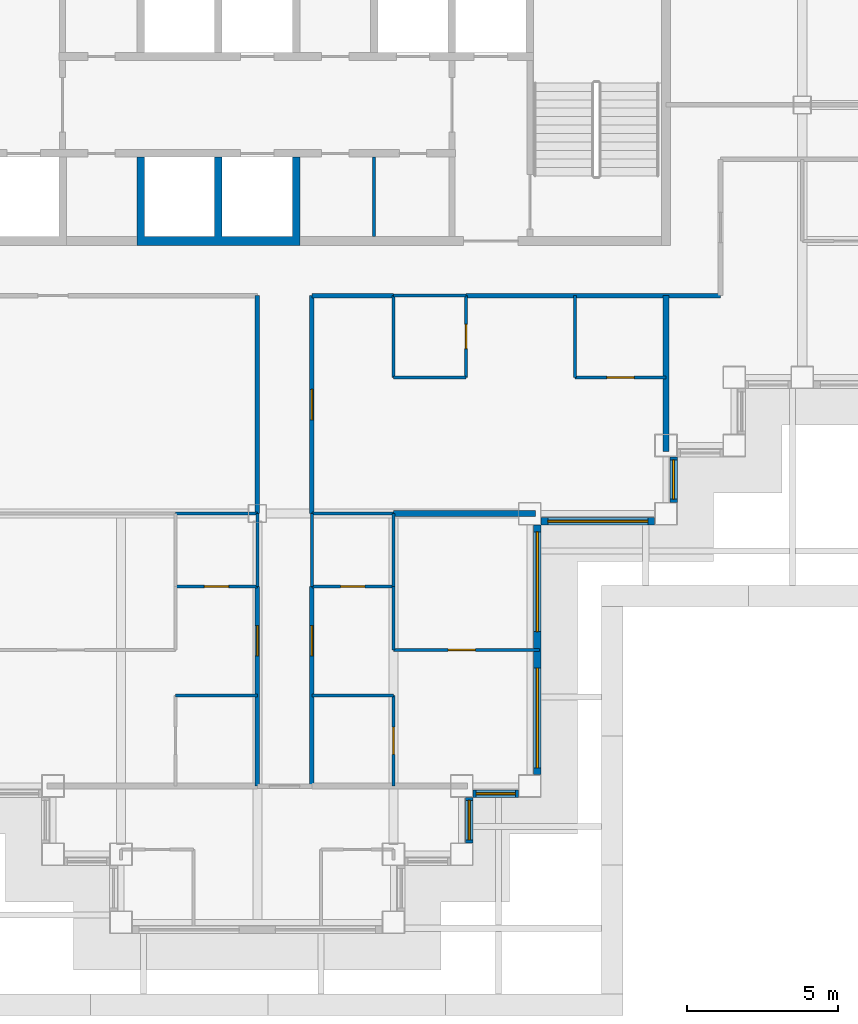
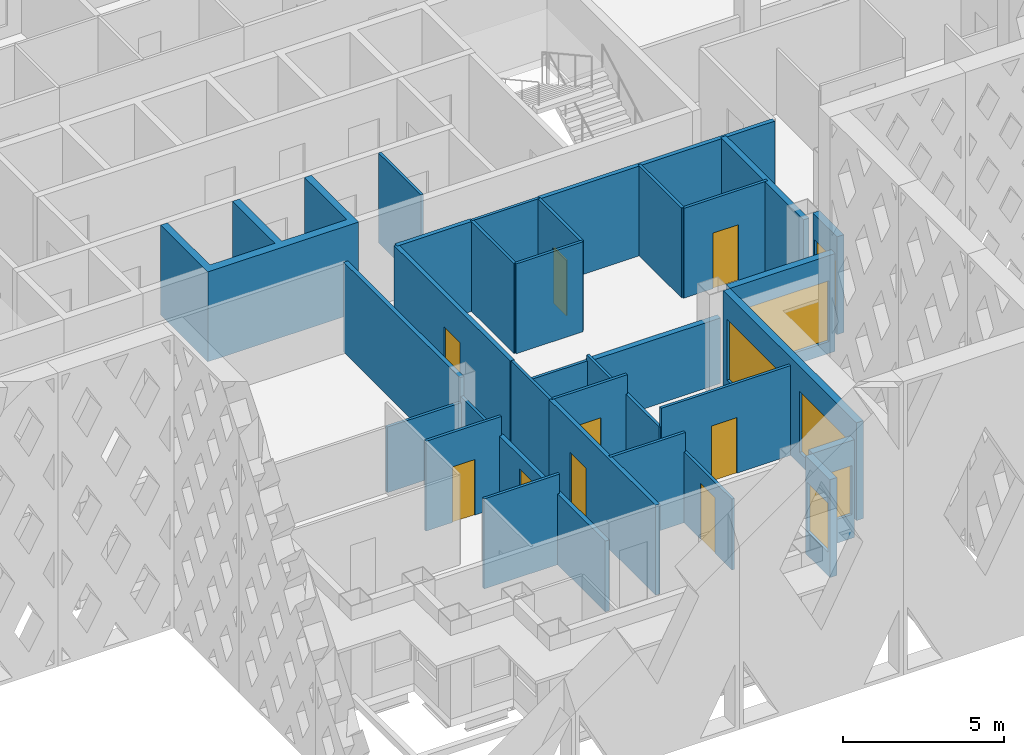
# One storey, part 5 of 18: 33 walls, 9 doors, 6 windows, 15 openings.
"""IFC4 building model written with IfcOpenShell, lengths in metres."""

from ifc_helpers import new_model, si_unit, direction, frame, frame_2d, origin, place, context, subcontext, project, spatial, polyline, rectangle, outline, extrude, material, layer, layer_set, type_object, element, fill, save


model = new_model("IFC4")

# Units and contexts
model_context = context("Model", 3, precision=1e-05, world=origin(), true_north=direction((0.0, 1.0)))
body_context = subcontext(model_context, "Body", "Model", "MODEL_VIEW")
ifc_project = project(units=[si_unit("LENGTHUNIT", "METRE"), si_unit("AREAUNIT", "SQUARE_METRE"), si_unit("VOLUMEUNIT", "CUBIC_METRE"), si_unit("PLANEANGLEUNIT", "RADIAN"), si_unit("MASSUNIT", "GRAM", prefix="KILO")], contexts=[model_context])

# Site, building, storey
site_placement = place(None, origin())
site = spatial("IfcSite", under=ifc_project, at=site_placement, CompositionType="ELEMENT")
building_placement = place(site_placement, origin())
building = spatial("IfcBuilding", under=site, at=building_placement, Name="Caravel Reach Hotel and Residences", CompositionType="ELEMENT")
storey_placement = place(building_placement, frame((0.0, 0.0, 176.5)))
storey = spatial("IfcBuildingStorey", under=building, at=storey_placement, Name="L44", CompositionType="ELEMENT", Elevation=176.5)

# Wall, opening, door
ifc_material_1 = material(Name="Gypsum board on steel stud", Category="steel")
ifc_layer_1 = layer(ifc_material_1, 0.10009765625)
ifc_layer_set_1 = layer_set([ifc_layer_1], Name="Bathroom pod wall 100 mm")
wall_type_1 = type_object("IfcWallType", Name="Bathroom pod wall 100 mm", PredefinedType="PARTITIONING", material=ifc_layer_set_1)
wall_1_placement = place(storey_placement, frame((33.300048828125, 11.10009765625, 0.0), z_axis=(0.0, 0.0, 1.0), x_axis=(1.0, 0.0, 0.0)))
wall_1 = element("IfcWall", 1, at=wall_1_placement, inside=storey, type_object=wall_type_1, Name="L44 wall w087", PredefinedType="PARTITIONING", context=body_context, shape_type="SweptSolid", body=[
    extrude(rectangle(XDim=2.699951171875, YDim=0.10009765625, at=frame_2d((1.35009765625, 0.0))), origin(), (0.0, 0.0, 1.0), 3.39990234375),
])
opening_1_placement = place(wall_1_placement, frame((0.949951171875, 0.0, 0.0)))
opening_1 = element("IfcOpeningElement", 2, at=opening_1_placement, cuts=wall_1, Name="Opening D44-046", PredefinedType="OPENING", context=body_context, shape_type="SweptSolid", body=[
    extrude(rectangle(XDim=0.800048828125, YDim=2.10009765625, at=frame_2d((0.39990234375, 1.050048828125))), frame((0.0, 0.06005859375, 0.0), z_axis=(0.0, -1.0, 0.0), x_axis=(1.0, 0.0, 0.0)), (0.0, 0.0, 1.0), 0.1201171875),
])
ifc_material_2 = material(Name="Timber and steel door leaf", Category="steel")
door_type_1 = type_object("IfcDoorType", Name="Bathroom door 800 x 2100", OperationType="SINGLE_SWING_LEFT", PredefinedType="DOOR", material=ifc_material_2)
door_1_placement = place(opening_1_placement, origin())
door_1 = element("IfcDoor", 3, at=door_1_placement, inside=storey, type_object=door_type_1, Name="door D44-046", OperationType="SINGLE_SWING_RIGHT", OverallHeight=2.10009765625, OverallWidth=0.800048828125, PredefinedType="DOOR", context=body_context, shape_type="SweptSolid", body=[
    extrude(rectangle(XDim=0.800048828125, YDim=2.10009765625, at=frame_2d((0.39990234375, 1.050048828125))), frame((0.0, 0.02490234375, 0.0), z_axis=(0.0, -1.0, 0.0), x_axis=(1.0, 0.0, 0.0)), (0.0, 0.0, 1.0), 0.050048828125),
])
fill(opening_1, door_1)

wall_2_placement = place(storey_placement, frame((28.800048828125, 11.10009765625, 0.0), z_axis=(0.0, 0.0, 1.0), x_axis=(1.0, 0.0, 0.0)))
wall_2 = element("IfcWall", 4, at=wall_2_placement, inside=storey, type_object=wall_type_1, Name="L44 wall w088", PredefinedType="PARTITIONING", context=body_context, shape_type="SweptSolid", body=[
    extrude(rectangle(XDim=2.699951171875, YDim=0.10009765625, at=frame_2d((1.35009765625, 0.0))), origin(), (0.0, 0.0, 1.0), 3.39990234375),
])
opening_2_placement = place(wall_2_placement, frame((0.949951171875, 0.0, 0.0)))
opening_2 = element("IfcOpeningElement", 5, at=opening_2_placement, cuts=wall_2, Name="Opening D44-042", PredefinedType="OPENING", context=body_context, shape_type="SweptSolid", body=[
    extrude(rectangle(XDim=0.800048828125, YDim=2.10009765625, at=frame_2d((0.39990234375, 1.050048828125))), frame((0.0, 0.06005859375, 0.0), z_axis=(0.0, -1.0, 0.0), x_axis=(1.0, 0.0, 0.0)), (0.0, 0.0, 1.0), 0.1201171875),
])
door_2_placement = place(opening_2_placement, origin())
door_2 = element("IfcDoor", 6, at=door_2_placement, inside=storey, type_object=door_type_1, Name="door D44-042", OperationType="SINGLE_SWING_RIGHT", OverallHeight=2.10009765625, OverallWidth=0.800048828125, PredefinedType="DOOR", context=body_context, shape_type="SweptSolid", body=[
    extrude(rectangle(XDim=0.800048828125, YDim=2.10009765625, at=frame_2d((0.39990234375, 1.050048828125))), frame((0.0, 0.02490234375, 0.0), z_axis=(0.0, -1.0, 0.0), x_axis=(1.0, 0.0, 0.0)), (0.0, 0.0, 1.0), 0.050048828125),
])
fill(opening_2, door_2)

# Walls
wall_3_placement = place(storey_placement, frame((33.301025390625, 13.5, 0.0), z_axis=(0.0, 0.0, 1.0), x_axis=(1.0, 0.0, 0.0)))
element("IfcWall", 7, at=wall_3_placement, inside=storey, type_object=wall_type_1, Name="L44 wall w089", PredefinedType="PARTITIONING", context=body_context, shape_type="SweptSolid", body=[
    extrude(rectangle(XDim=2.697998046875, YDim=0.10009765625, at=frame_2d((1.34912109375, 0.0))), origin(), (0.0, 0.0, 1.0), 2.47998046875),
])
wall_4_placement = place(storey_placement, frame((28.800048828125, 13.5, 0.0), z_axis=(0.0, 0.0, 1.0), x_axis=(1.0, 0.0, 0.0)))
element("IfcWall", 8, at=wall_4_placement, inside=storey, type_object=wall_type_1, Name="L44 wall w090", PredefinedType="PARTITIONING", context=body_context, shape_type="SweptSolid", body=[
    extrude(rectangle(XDim=2.699951171875, YDim=0.10009765625, at=frame_2d((1.35009765625, 0.0))), origin(), (0.0, 0.0, 1.0), 2.47998046875),
])
for number, where, z_axis, x_axis, name in (
    (9, (36.0, 18.0, 0.0), (0.0, 0.0, 1.0), (1.0, 0.0, 0.0), "L44 wall w091"),
    (10, (36.0, 20.699951171875, 0.0), (0.0, 0.0, 1.0), (1.0, 0.0, 0.0), "L44 wall w093"),
):
    element("IfcWall", number, at=place(storey_placement, frame(where, z_axis=z_axis, x_axis=x_axis)), inside=storey, type_object=wall_type_1, Name=name, PredefinedType="PARTITIONING", context=body_context, shape_type="SweptSolid", body=[
        extrude(rectangle(XDim=2.39990234375, YDim=0.10009765625, at=frame_2d((1.199951171875, 0.0))), origin(), (0.0, 0.0, 1.0), 3.39990234375),
    ])
wall_5_placement = place(storey_placement, frame((31.5, 11.10009765625, 0.0), z_axis=(0.0, 0.0, 1.0), x_axis=(0.0, 1.0, 0.0)))
element("IfcWall", 11, at=wall_5_placement, inside=storey, type_object=wall_type_1, Name="L44 wall w114", PredefinedType="PARTITIONING", context=body_context, shape_type="SweptSolid", body=[
    extrude(rectangle(XDim=2.39990234375, YDim=0.10009765625, at=frame_2d((1.199951171875, 0.0))), origin(), (0.0, 0.0, 1.0), 2.679931640625),
])
wall_6_placement = place(storey_placement, frame((33.300048828125, 11.10009765625, 0.0), z_axis=(0.0, 0.0, 1.0), x_axis=(0.0, 1.0, 0.0)))
element("IfcWall", 12, at=wall_6_placement, inside=storey, type_object=wall_type_1, Name="L44 wall w115", PredefinedType="PARTITIONING", context=body_context, shape_type="SweptSolid", body=[
    extrude(rectangle(XDim=2.39990234375, YDim=0.10009765625, at=frame_2d((1.199951171875, 0.0))), origin(), (0.0, 0.0, 1.0), 3.39990234375),
])
wall_7_placement = place(storey_placement, frame((36.0, 11.10009765625, 0.0), z_axis=(0.0, 0.0, 1.0), x_axis=(0.0, 1.0, 0.0)))
element("IfcWall", 13, at=wall_7_placement, inside=storey, type_object=wall_type_1, Name="L44 wall w117", PredefinedType="PARTITIONING", context=body_context, shape_type="SweptSolid", body=[
    extrude(rectangle(XDim=2.39990234375, YDim=0.10009765625, at=frame_2d((1.199951171875, 0.0))), origin(), (0.0, 0.0, 1.0), 2.679931640625),
])
wall_8_placement = place(storey_placement, frame((36.0, 18.0, 0.0), z_axis=(0.0, 0.0, 1.0), x_axis=(0.0, 1.0, 0.0)))
element("IfcWall", 14, at=wall_8_placement, inside=storey, type_object=wall_type_1, Name="L44 wall w118", PredefinedType="PARTITIONING", context=body_context, shape_type="SweptSolid", body=[
    extrude(rectangle(XDim=2.698974609375, YDim=0.10009765625, at=frame_2d((1.349609375, 0.0))), origin(), (0.0, 0.0, 1.0), 3.39990234375),
])

# Wall, opening, door
wall_9_placement = place(storey_placement, frame((38.39990234375, 18.0, 0.0), z_axis=(0.0, 0.0, 1.0), x_axis=(0.0, 1.0, 0.0)))
wall_9 = element("IfcWall", 15, at=wall_9_placement, inside=storey, type_object=wall_type_1, Name="L44 wall w119", PredefinedType="PARTITIONING", context=body_context, shape_type="SweptSolid", body=[
    extrude(rectangle(XDim=2.699951171875, YDim=0.10009765625, at=frame_2d((1.35009765625, 0.0))), origin(), (0.0, 0.0, 1.0), 3.39990234375),
])
opening_3_placement = place(wall_9_placement, frame((0.949951171875, 0.0, 0.0)))
opening_3 = element("IfcOpeningElement", 16, at=opening_3_placement, cuts=wall_9, Name="Opening D44-038", PredefinedType="OPENING", context=body_context, shape_type="SweptSolid", body=[
    extrude(rectangle(XDim=0.800048828125, YDim=2.10009765625, at=frame_2d((0.39990234375, 1.050048828125))), frame((0.0, 0.06005859375, 0.0), z_axis=(0.0, -1.0, 0.0), x_axis=(1.0, 0.0, 0.0)), (0.0, 0.0, 1.0), 0.1201171875),
])
door_3_placement = place(opening_3_placement, origin())
door_3 = element("IfcDoor", 17, at=door_3_placement, inside=storey, type_object=door_type_1, Name="door D44-038", OperationType="SINGLE_SWING_RIGHT", OverallHeight=2.10009765625, OverallWidth=0.800048828125, PredefinedType="DOOR", context=body_context, shape_type="SweptSolid", body=[
    extrude(rectangle(XDim=0.800048828125, YDim=2.10009765625, at=frame_2d((0.39990234375, 1.050048828125))), frame((0.0, 0.02490234375, 0.0), z_axis=(0.0, -1.0, 0.0), x_axis=(1.0, 0.0, 0.0)), (0.0, 0.0, 1.0), 0.050048828125),
])
fill(opening_3, door_3)

# Walls
ifc_material_3 = material(Name="Gypsum board on steel stud, fire-rated", Category="steel")
ifc_layer_2 = layer(ifc_material_3, 0.14990234375)
ifc_layer_set_2 = layer_set([ifc_layer_2], Name="Corridor wall 150 mm EI 60")
wall_type_2 = type_object("IfcWallType", Name="Corridor wall 150 mm EI 60", PredefinedType="PARTITIONING", material=ifc_layer_set_2)
wall_10_placement = place(storey_placement, frame((33.301025390625, 20.699951171875, 0.0), z_axis=(0.0, 0.0, 1.0), x_axis=(1.0, 0.0, 0.0)))
element("IfcWall", 18, at=wall_10_placement, inside=storey, type_object=wall_type_2, Name="L44 wall w002", PredefinedType="PARTITIONING", context=body_context, shape_type="SweptSolid", body=[
    extrude(rectangle(XDim=2.697998046875, YDim=0.14990234375, at=frame_2d((1.34912109375, 0.0))), origin(), (0.0, 0.0, 1.0), 3.39990234375),
])
wall_11_placement = place(storey_placement, frame((38.39990234375, 20.699951171875, 0.0), z_axis=(0.0, 0.0, 1.0), x_axis=(1.0, 0.0, 0.0)))
element("IfcWall", 19, at=wall_11_placement, inside=storey, type_object=wall_type_2, Name="L44 wall w003", PredefinedType="PARTITIONING", context=body_context, shape_type="SweptSolid", body=[
    extrude(rectangle(XDim=8.400146484375, YDim=0.14990234375, at=frame_2d((4.2001953125, 0.0))), origin(), (0.0, 0.0, 1.0), 3.39990234375),
])

# Wall, opening, door
wall_12_placement = place(storey_placement, frame((31.5, 4.5, 0.0), z_axis=(0.0, 0.0, 1.0), x_axis=(0.0, 1.0, 0.0)))
wall_12 = element("IfcWall", 20, at=wall_12_placement, inside=storey, type_object=wall_type_2, Name="L44 wall w022", PredefinedType="PARTITIONING", context=body_context, shape_type="SweptSolid", body=[
    extrude(rectangle(XDim=6.60009765625, YDim=0.14990234375, at=frame_2d((3.300048828125, 0.0))), origin(), (0.0, 0.0, 1.0), 2.679931640625),
])
opening_4_placement = place(wall_12_placement, frame((4.300048828125, 0.0, 0.0)))
opening_4 = element("IfcOpeningElement", 21, at=opening_4_placement, cuts=wall_12, Name="Opening D44-040", PredefinedType="OPENING", context=body_context, shape_type="SweptSolid", body=[
    extrude(rectangle(XDim=1.0, YDim=2.199951171875, at=frame_2d((0.5, 1.10009765625))), frame((0.0, 0.0849609375, 0.0), z_axis=(0.0, -1.0, 0.0), x_axis=(1.0, 0.0, 0.0)), (0.0, 0.0, 1.0), 0.169921875),
])
ifc_material_4 = material(Name="Steel fire door leaf", Category="steel")
door_type_2 = type_object("IfcDoorType", Name="Flat entrance door 1000 x 2200 EI 60", OperationType="SINGLE_SWING_LEFT", PredefinedType="DOOR", material=ifc_material_4)
door_4_placement = place(opening_4_placement, origin())
door_4 = element("IfcDoor", 22, at=door_4_placement, inside=storey, type_object=door_type_2, Name="door D44-040", OperationType="SINGLE_SWING_LEFT", OverallHeight=2.199951171875, OverallWidth=1.0, PredefinedType="DOOR", context=body_context, shape_type="SweptSolid", body=[
    extrude(rectangle(XDim=1.0, YDim=2.199951171875, at=frame_2d((0.5, 1.10009765625))), frame((0.0, 0.02490234375, 0.0), z_axis=(0.0, -1.0, 0.0), x_axis=(1.0, 0.0, 0.0)), (0.0, 0.0, 1.0), 0.050048828125),
])
fill(opening_4, door_4)

# Wall
wall_13_placement = place(storey_placement, frame((31.5, 13.5, 0.0), z_axis=(0.0, 0.0, 1.0), x_axis=(0.0, 1.0, 0.0)))
element("IfcWall", 23, at=wall_13_placement, inside=storey, type_object=wall_type_2, Name="L44 wall w023", PredefinedType="PARTITIONING", context=body_context, shape_type="SweptSolid", body=[
    extrude(rectangle(XDim=7.199951171875, YDim=0.14990234375, at=frame_2d((3.60009765625, 0.0))), origin(), (0.0, 0.0, 1.0), 3.39990234375),
])

# Wall, opening, door
wall_14_placement = place(storey_placement, frame((33.300048828125, 4.5, 0.0), z_axis=(0.0, 0.0, 1.0), x_axis=(0.0, 1.0, 0.0)))
wall_14 = element("IfcWall", 24, at=wall_14_placement, inside=storey, type_object=wall_type_2, Name="L44 wall w025", PredefinedType="PARTITIONING", context=body_context, shape_type="SweptSolid", body=[
    extrude(rectangle(XDim=6.60009765625, YDim=0.14990234375, at=frame_2d((3.300048828125, 0.0))), origin(), (0.0, 0.0, 1.0), 3.39990234375),
])
opening_5_placement = place(wall_14_placement, frame((4.300048828125, 0.0, 0.0)))
opening_5 = element("IfcOpeningElement", 25, at=opening_5_placement, cuts=wall_14, Name="Opening D44-044", PredefinedType="OPENING", context=body_context, shape_type="SweptSolid", body=[
    extrude(rectangle(XDim=1.0, YDim=2.199951171875, at=frame_2d((0.5, 1.10009765625))), frame((0.0, 0.0849609375, 0.0), z_axis=(0.0, -1.0, 0.0), x_axis=(1.0, 0.0, 0.0)), (0.0, 0.0, 1.0), 0.169921875),
])
door_5_placement = place(opening_5_placement, origin())
door_5 = element("IfcDoor", 26, at=door_5_placement, inside=storey, type_object=door_type_2, Name="door D44-044", OperationType="SINGLE_SWING_RIGHT", OverallHeight=2.199951171875, OverallWidth=1.0, PredefinedType="DOOR", context=body_context, shape_type="SweptSolid", body=[
    extrude(rectangle(XDim=1.0, YDim=2.199951171875, at=frame_2d((0.5, 1.10009765625))), frame((0.0, 0.02490234375, 0.0), z_axis=(0.0, -1.0, 0.0), x_axis=(1.0, 0.0, 0.0)), (0.0, 0.0, 1.0), 0.050048828125),
])
fill(opening_5, door_5)

wall_15_placement = place(storey_placement, frame((33.300048828125, 13.5009765625, 0.0), z_axis=(0.0, 0.0, 1.0), x_axis=(0.0, 1.0, 0.0)))
wall_15 = element("IfcWall", 27, at=wall_15_placement, inside=storey, type_object=wall_type_2, Name="L44 wall w026", PredefinedType="PARTITIONING", context=body_context, shape_type="SweptSolid", body=[
    extrude(rectangle(XDim=7.197998046875, YDim=0.14990234375, at=frame_2d((3.59912109375, 0.0))), origin(), (0.0, 0.0, 1.0), 3.39990234375),
])
opening_6_placement = place(wall_15_placement, frame((3.09912109375, 0.0, 0.0)))
opening_6 = element("IfcOpeningElement", 28, at=opening_6_placement, cuts=wall_15, Name="Opening D44-037", PredefinedType="OPENING", context=body_context, shape_type="SweptSolid", body=[
    extrude(rectangle(XDim=1.0, YDim=2.199951171875, at=frame_2d((0.5, 1.10009765625))), frame((0.0, 0.0849609375, 0.0), z_axis=(0.0, -1.0, 0.0), x_axis=(1.0, 0.0, 0.0)), (0.0, 0.0, 1.0), 0.169921875),
])
door_6_placement = place(opening_6_placement, origin())
door_6 = element("IfcDoor", 29, at=door_6_placement, inside=storey, type_object=door_type_2, Name="door D44-037", OperationType="SINGLE_SWING_RIGHT", OverallHeight=2.199951171875, OverallWidth=1.0, PredefinedType="DOOR", context=body_context, shape_type="SweptSolid", body=[
    extrude(rectangle(XDim=1.0, YDim=2.199951171875, at=frame_2d((0.5, 1.10009765625))), frame((0.0, 0.02490234375, 0.0), z_axis=(0.0, -1.0, 0.0), x_axis=(1.0, 0.0, 0.0)), (0.0, 0.0, 1.0), 0.050048828125),
])
fill(opening_6, door_6)

# Wall, opening, window
ifc_material_5 = material(Name="Insulated rainscreen wall, aluminium cladding", Category="aluminium")
ifc_layer_3 = layer(ifc_material_5, 0.25)
ifc_layer_set_3 = layer_set([ifc_layer_3], Name="EW1 Tower rainscreen wall")
wall_type_3 = type_object("IfcWallType", Name="EW1 Tower rainscreen wall", PredefinedType="SOLIDWALL", material=ifc_layer_set_3)
wall_16_placement = place(storey_placement, frame((38.5, 2.625, 0.0), z_axis=(0.0, 0.0, 1.0), x_axis=(0.0, 1.0, 0.0)))
wall_16 = element("IfcWall", 30, at=wall_16_placement, inside=storey, type_object=wall_type_3, Name="External wall L44 E8.1", PredefinedType="SOLIDWALL", context=body_context, shape_type="SweptSolid", body=[
    extrude(rectangle(XDim=1.5, YDim=0.25, at=frame_2d((0.75, 0.0))), origin(), (0.0, 0.0, 1.0), 3.699951171875),
])
opening_7_placement = place(wall_16_placement, frame((0.10009765625, 0.0, 0.89990234375)))
opening_7 = element("IfcOpeningElement", 31, at=opening_7_placement, cuts=wall_16, Name="Opening WN16", PredefinedType="OPENING", context=body_context, shape_type="SweptSolid", body=[
    extrude(rectangle(XDim=1.300048828125, YDim=1.85009765625, at=frame_2d((0.64990234375, 0.925048828125))), frame((0.0, 0.135009765625, 0.0), z_axis=(0.0, -1.0, 0.0), x_axis=(1.0, 0.0, 0.0)), (0.0, 0.0, 1.0), 0.27001953125),
])
ifc_material_6 = material(Name="Dark low-e glazing in black aluminium frame", Category="aluminium")
window_type_1 = type_object("IfcWindowType", Name="Residence bedroom window 1300 x 1850", PartitioningType="SINGLE_PANEL", PredefinedType="WINDOW", material=ifc_material_6)
window_1_placement = place(opening_7_placement, origin())
window_1 = element("IfcWindow", 32, at=window_1_placement, inside=storey, type_object=window_type_1, Name="Window L44 E8.1.1", OverallHeight=1.85009765625, OverallWidth=1.300048828125, PartitioningType="SINGLE_PANEL", PredefinedType="WINDOW", context=body_context, shape_type="SweptSolid", body=[
    extrude(rectangle(XDim=1.300048828125, YDim=1.85009765625, at=frame_2d((0.64990234375, 0.925048828125))), frame((0.0, 0.030029296875, 0.0), z_axis=(0.0, -1.0, 0.0), x_axis=(1.0, 0.0, 0.0)), (0.0, 0.0, 1.0), 0.06005859375),
])
fill(opening_7, window_1)

wall_17_placement = place(storey_placement, frame((38.625, 4.25, 0.0), z_axis=(0.0, 0.0, 1.0), x_axis=(1.0, 0.0, 0.0)))
wall_17 = element("IfcWall", 33, at=wall_17_placement, inside=storey, type_object=wall_type_3, Name="External wall L44 S9.1", PredefinedType="SOLIDWALL", context=body_context, shape_type="SweptSolid", body=[
    extrude(rectangle(XDim=1.5, YDim=0.25, at=frame_2d((0.75, 0.0))), origin(), (0.0, 0.0, 1.0), 3.699951171875),
])
opening_8_placement = place(wall_17_placement, frame((0.10009765625, 0.0, 0.89990234375)))
opening_8 = element("IfcOpeningElement", 34, at=opening_8_placement, cuts=wall_17, Name="Opening WN16", PredefinedType="OPENING", context=body_context, shape_type="SweptSolid", body=[
    extrude(rectangle(XDim=1.300048828125, YDim=1.85009765625, at=frame_2d((0.64990234375, 0.925048828125))), frame((0.0, 0.135009765625, 0.0), z_axis=(0.0, -1.0, 0.0), x_axis=(1.0, 0.0, 0.0)), (0.0, 0.0, 1.0), 0.27001953125),
])
window_2_placement = place(opening_8_placement, origin())
window_2 = element("IfcWindow", 35, at=window_2_placement, inside=storey, type_object=window_type_1, Name="Window L44 S9.1.1", OverallHeight=1.85009765625, OverallWidth=1.300048828125, PartitioningType="SINGLE_PANEL", PredefinedType="WINDOW", context=body_context, shape_type="SweptSolid", body=[
    extrude(rectangle(XDim=1.300048828125, YDim=1.85009765625, at=frame_2d((0.64990234375, 0.925048828125))), frame((0.0, 0.030029296875, 0.0), z_axis=(0.0, -1.0, 0.0), x_axis=(1.0, 0.0, 0.0)), (0.0, 0.0, 1.0), 0.06005859375),
])
fill(opening_8, window_2)

# Wall, openings, windows
wall_18_placement = place(storey_placement, frame((40.75, 4.875, 0.0), z_axis=(0.0, 0.0, 1.0), x_axis=(0.0, 1.0, 0.0)))
wall_18 = element("IfcWall", 36, at=wall_18_placement, inside=storey, type_object=wall_type_3, Name="External wall L44 E10.1", PredefinedType="SOLIDWALL", context=body_context, shape_type="SweptSolid", body=[
    extrude(rectangle(XDim=8.25, YDim=0.25, at=frame_2d((4.125, 0.0))), origin(), (0.0, 0.0, 1.0), 3.699951171875),
])
opening_9_placement = place(wall_18_placement, frame((0.22509765625, 0.0, 0.449951171875)))
opening_9 = element("IfcOpeningElement", 37, at=opening_9_placement, cuts=wall_18, Name="Opening WN15", PredefinedType="OPENING", context=body_context, shape_type="SweptSolid", body=[
    extrude(rectangle(XDim=3.300048828125, YDim=2.300048828125, at=frame_2d((1.64990234375, 1.14990234375))), frame((0.0, 0.135009765625, 0.0), z_axis=(0.0, -1.0, 0.0), x_axis=(1.0, 0.0, 0.0)), (0.0, 0.0, 1.0), 0.27001953125),
])
opening_10_placement = place(wall_18_placement, frame((4.72509765625, 0.0, 0.449951171875)))
opening_10 = element("IfcOpeningElement", 38, at=opening_10_placement, cuts=wall_18, Name="Opening WN15", PredefinedType="OPENING", context=body_context, shape_type="SweptSolid", body=[
    extrude(rectangle(XDim=3.300048828125, YDim=2.300048828125, at=frame_2d((1.64990234375, 1.14990234375))), frame((0.0, 0.135009765625, 0.0), z_axis=(0.0, -1.0, 0.0), x_axis=(1.0, 0.0, 0.0)), (0.0, 0.0, 1.0), 0.27001953125),
])
ifc_material_7 = material(Name="Dark low-e glazing in black aluminium frame", Category="aluminium")
window_type_2 = type_object("IfcWindowType", Name="Residence living window 3300 x 2300", PartitioningType="SINGLE_PANEL", PredefinedType="WINDOW", material=ifc_material_7)
window_3_placement = place(opening_9_placement, origin())
window_3 = element("IfcWindow", 39, at=window_3_placement, inside=storey, type_object=window_type_2, Name="Window L44 E10.1.1", OverallHeight=2.300048828125, OverallWidth=3.300048828125, PartitioningType="SINGLE_PANEL", PredefinedType="WINDOW", context=body_context, shape_type="SweptSolid", body=[
    extrude(rectangle(XDim=3.300048828125, YDim=2.300048828125, at=frame_2d((1.64990234375, 1.14990234375))), frame((0.0, 0.030029296875, 0.0), z_axis=(0.0, -1.0, 0.0), x_axis=(1.0, 0.0, 0.0)), (0.0, 0.0, 1.0), 0.06005859375),
])
fill(opening_9, window_3)
window_4_placement = place(opening_10_placement, origin())
window_4 = element("IfcWindow", 40, at=window_4_placement, inside=storey, type_object=window_type_2, Name="Window L44 E10.1.2", OverallHeight=2.300048828125, OverallWidth=3.300048828125, PartitioningType="SINGLE_PANEL", PredefinedType="WINDOW", context=body_context, shape_type="SweptSolid", body=[
    extrude(rectangle(XDim=3.300048828125, YDim=2.300048828125, at=frame_2d((1.64990234375, 1.14990234375))), frame((0.0, 0.030029296875, 0.0), z_axis=(0.0, -1.0, 0.0), x_axis=(1.0, 0.0, 0.0)), (0.0, 0.0, 1.0), 0.06005859375),
])
fill(opening_10, window_4)

# Wall, opening, window
wall_19_placement = place(storey_placement, frame((40.875, 13.25, 0.0), z_axis=(0.0, 0.0, 1.0), x_axis=(1.0, 0.0, 0.0)))
wall_19 = element("IfcWall", 41, at=wall_19_placement, inside=storey, type_object=wall_type_3, Name="External wall L44 S11.1", PredefinedType="SOLIDWALL", context=body_context, shape_type="SweptSolid", body=[
    extrude(rectangle(XDim=3.75, YDim=0.25, at=frame_2d((1.875, 0.0))), origin(), (0.0, 0.0, 1.0), 3.699951171875),
])
opening_11_placement = place(wall_19_placement, frame((0.22509765625, 0.0, 0.449951171875)))
opening_11 = element("IfcOpeningElement", 42, at=opening_11_placement, cuts=wall_19, Name="Opening WN15", PredefinedType="OPENING", context=body_context, shape_type="SweptSolid", body=[
    extrude(rectangle(XDim=3.300048828125, YDim=2.300048828125, at=frame_2d((1.64990234375, 1.14990234375))), frame((0.0, 0.135009765625, 0.0), z_axis=(0.0, -1.0, 0.0), x_axis=(1.0, 0.0, 0.0)), (0.0, 0.0, 1.0), 0.27001953125),
])
window_5_placement = place(opening_11_placement, origin())
window_5 = element("IfcWindow", 43, at=window_5_placement, inside=storey, type_object=window_type_2, Name="Window L44 S11.1.1", OverallHeight=2.300048828125, OverallWidth=3.300048828125, PartitioningType="SINGLE_PANEL", PredefinedType="WINDOW", context=body_context, shape_type="SweptSolid", body=[
    extrude(rectangle(XDim=3.300048828125, YDim=2.300048828125, at=frame_2d((1.64990234375, 1.14990234375))), frame((0.0, 0.030029296875, 0.0), z_axis=(0.0, -1.0, 0.0), x_axis=(1.0, 0.0, 0.0)), (0.0, 0.0, 1.0), 0.06005859375),
])
fill(opening_11, window_5)

wall_20_placement = place(storey_placement, frame((45.25, 13.875, 0.0), z_axis=(0.0, 0.0, 1.0), x_axis=(0.0, 1.0, 0.0)))
wall_20 = element("IfcWall", 44, at=wall_20_placement, inside=storey, type_object=wall_type_3, Name="External wall L44 E12.1", PredefinedType="SOLIDWALL", context=body_context, shape_type="SweptSolid", body=[
    extrude(rectangle(XDim=1.5, YDim=0.25, at=frame_2d((0.75, 0.0))), origin(), (0.0, 0.0, 1.0), 3.699951171875),
])
opening_12_placement = place(wall_20_placement, frame((0.10009765625, 0.0, 0.89990234375)))
opening_12 = element("IfcOpeningElement", 45, at=opening_12_placement, cuts=wall_20, Name="Opening WN16", PredefinedType="OPENING", context=body_context, shape_type="SweptSolid", body=[
    extrude(rectangle(XDim=1.300048828125, YDim=1.85009765625, at=frame_2d((0.64990234375, 0.925048828125))), frame((0.0, 0.135009765625, 0.0), z_axis=(0.0, -1.0, 0.0), x_axis=(1.0, 0.0, 0.0)), (0.0, 0.0, 1.0), 0.27001953125),
])
window_6_placement = place(opening_12_placement, origin())
window_6 = element("IfcWindow", 46, at=window_6_placement, inside=storey, type_object=window_type_1, Name="Window L44 E12.1.1", OverallHeight=1.85009765625, OverallWidth=1.300048828125, PartitioningType="SINGLE_PANEL", PredefinedType="WINDOW", context=body_context, shape_type="SweptSolid", body=[
    extrude(rectangle(XDim=1.300048828125, YDim=1.85009765625, at=frame_2d((0.64990234375, 0.925048828125))), frame((0.0, 0.030029296875, 0.0), z_axis=(0.0, -1.0, 0.0), x_axis=(1.0, 0.0, 0.0)), (0.0, 0.0, 1.0), 0.06005859375),
])
fill(opening_12, window_6)

# Wall
ifc_material_8 = material(Name="Gypsum board on steel stud", Category="steel")
ifc_layer_4 = layer(ifc_material_8, 0.10009765625)
ifc_layer_set_4 = layer_set([ifc_layer_4], Name="Partition 100 mm")
wall_type_4 = type_object("IfcWallType", Name="Partition 100 mm", PredefinedType="PARTITIONING", material=ifc_layer_set_4)
wall_21_placement = place(storey_placement, frame((35.357177734375, 22.64990234375, 0.0), z_axis=(0.0, 0.0, 1.0), x_axis=(0.0, 1.0, 0.0)))
element("IfcWall", 47, at=wall_21_placement, inside=storey, type_object=wall_type_4, Name="L44 store partition", PredefinedType="PARTITIONING", context=body_context, shape_type="SweptSolid", body=[
    extrude(rectangle(XDim=2.625, YDim=0.10009765625, at=frame_2d((1.3125, 0.0))), origin(), (0.0, 0.0, 1.0), 3.39990234375),
])

# Wall, opening, door
wall_22_placement = place(storey_placement, frame((42.0, 18.0, 0.0), z_axis=(0.0, 0.0, 1.0), x_axis=(1.0, 0.0, 0.0)))
wall_22 = element("IfcWall", 48, at=wall_22_placement, inside=storey, type_object=wall_type_4, Name="L44 wall w032", PredefinedType="PARTITIONING", context=body_context, shape_type="SweptSolid", body=[
    extrude(rectangle(XDim=3.0, YDim=0.10009765625, at=frame_2d((1.5, 0.0))), origin(), (0.0, 0.0, 1.0), 3.39990234375),
])
opening_13_placement = place(wall_22_placement, frame((1.050048828125, 0.0, 0.0)))
opening_13 = element("IfcOpeningElement", 49, at=opening_13_placement, cuts=wall_22, Name="Opening D44-039", PredefinedType="OPENING", context=body_context, shape_type="SweptSolid", body=[
    extrude(rectangle(XDim=0.89990234375, YDim=2.10009765625, at=frame_2d((0.449951171875, 1.050048828125))), frame((0.0, 0.06005859375, 0.0), z_axis=(0.0, -1.0, 0.0), x_axis=(1.0, 0.0, 0.0)), (0.0, 0.0, 1.0), 0.1201171875),
])
ifc_material_9 = material(Name="Timber and steel door leaf", Category="steel")
door_type_3 = type_object("IfcDoorType", Name="Door 900 x 2100 timber", OperationType="SINGLE_SWING_LEFT", PredefinedType="DOOR", material=ifc_material_9)
door_7_placement = place(opening_13_placement, origin())
door_7 = element("IfcDoor", 50, at=door_7_placement, inside=storey, type_object=door_type_3, Name="door D44-039", OperationType="SINGLE_SWING_LEFT", OverallHeight=2.10009765625, OverallWidth=0.89990234375, PredefinedType="DOOR", context=body_context, shape_type="SweptSolid", body=[
    extrude(rectangle(XDim=0.89990234375, YDim=2.10009765625, at=frame_2d((0.449951171875, 1.050048828125))), frame((0.0, 0.02490234375, 0.0), z_axis=(0.0, -1.0, 0.0), x_axis=(1.0, 0.0, 0.0)), (0.0, 0.0, 1.0), 0.050048828125),
])
fill(opening_13, door_7)

# Walls
for number, where, z_axis, x_axis, name in (
    (51, (33.300048828125, 7.5, 0.0), (0.0, 0.0, 1.0), (1.0, 0.0, 0.0), "L44 wall w048"),
    (52, (28.800048828125, 7.5, 0.0), (0.0, 0.0, 1.0), (1.0, 0.0, 0.0), "L44 wall w049"),
):
    element("IfcWall", number, at=place(storey_placement, frame(where, z_axis=z_axis, x_axis=x_axis)), inside=storey, type_object=wall_type_4, Name=name, PredefinedType="PARTITIONING", context=body_context, shape_type="SweptSolid", body=[
        extrude(rectangle(XDim=2.699951171875, YDim=0.10009765625, at=frame_2d((1.35009765625, 0.0))), origin(), (0.0, 0.0, 1.0), 3.39990234375),
    ])

# Wall, opening, door
wall_23_placement = place(storey_placement, frame((36.0, 9.0, 0.0), z_axis=(0.0, 0.0, 1.0), x_axis=(1.0, 0.0, 0.0)))
wall_23 = element("IfcWall", 53, at=wall_23_placement, inside=storey, type_object=wall_type_4, Name="L44 wall w050", PredefinedType="PARTITIONING", context=body_context, shape_type="SweptSolid", body=[
    extrude(rectangle(XDim=4.81494140625, YDim=0.10009765625, at=frame_2d((2.407470703125, 0.0))), origin(), (0.0, 0.0, 1.0), 3.39990234375),
])
opening_14_placement = place(wall_23_placement, frame((1.800048828125, 0.0, 0.0)))
opening_14 = element("IfcOpeningElement", 54, at=opening_14_placement, cuts=wall_23, Name="Opening D44-047", PredefinedType="OPENING", context=body_context, shape_type="SweptSolid", body=[
    extrude(rectangle(XDim=0.89990234375, YDim=2.10009765625, at=frame_2d((0.449951171875, 1.050048828125))), frame((0.0, 0.06005859375, 0.0), z_axis=(0.0, -1.0, 0.0), x_axis=(1.0, 0.0, 0.0)), (0.0, 0.0, 1.0), 0.1201171875),
])
door_8_placement = place(opening_14_placement, origin())
door_8 = element("IfcDoor", 55, at=door_8_placement, inside=storey, type_object=door_type_3, Name="door D44-047", OperationType="SINGLE_SWING_RIGHT", OverallHeight=2.10009765625, OverallWidth=0.89990234375, PredefinedType="DOOR", context=body_context, shape_type="SweptSolid", body=[
    extrude(rectangle(XDim=0.89990234375, YDim=2.10009765625, at=frame_2d((0.449951171875, 1.050048828125))), frame((0.0, 0.02490234375, 0.0), z_axis=(0.0, -1.0, 0.0), x_axis=(1.0, 0.0, 0.0)), (0.0, 0.0, 1.0), 0.050048828125),
])
fill(opening_14, door_8)

# Wall
wall_24_placement = place(storey_placement, frame((36.0, 9.0, 0.0), z_axis=(0.0, 0.0, 1.0), x_axis=(0.0, 1.0, 0.0)))
element("IfcWall", 56, at=wall_24_placement, inside=storey, type_object=wall_type_4, Name="L44 wall w063", PredefinedType="PARTITIONING", context=body_context, shape_type="SweptSolid", body=[
    extrude(rectangle(XDim=2.10009765625, YDim=0.10009765625, at=frame_2d((1.050048828125, 0.0))), origin(), (0.0, 0.0, 1.0), 2.679931640625),
])

# Wall, opening, door
wall_25_placement = place(storey_placement, frame((36.0, 4.5, 0.0), z_axis=(0.0, 0.0, 1.0), x_axis=(0.0, 1.0, 0.0)))
wall_25 = element("IfcWall", 57, at=wall_25_placement, inside=storey, type_object=wall_type_4, Name="L44 wall w064", PredefinedType="PARTITIONING", context=body_context, shape_type="SweptSolid", body=[
    extrude(rectangle(XDim=3.0, YDim=0.10009765625, at=frame_2d((1.5, 0.0))), origin(), (0.0, 0.0, 1.0), 2.679931640625),
])
opening_15_placement = place(wall_25_placement, frame((1.050048828125, 0.0, 0.0)))
opening_15 = element("IfcOpeningElement", 58, at=opening_15_placement, cuts=wall_25, Name="Opening D44-045", PredefinedType="OPENING", context=body_context, shape_type="SweptSolid", body=[
    extrude(rectangle(XDim=0.89990234375, YDim=2.10009765625, at=frame_2d((0.449951171875, 1.050048828125))), frame((0.0, 0.06005859375, 0.0), z_axis=(0.0, -1.0, 0.0), x_axis=(1.0, 0.0, 0.0)), (0.0, 0.0, 1.0), 0.1201171875),
])
door_9_placement = place(opening_15_placement, origin())
door_9 = element("IfcDoor", 59, at=door_9_placement, inside=storey, type_object=door_type_3, Name="door D44-045", OperationType="SINGLE_SWING_LEFT", OverallHeight=2.10009765625, OverallWidth=0.89990234375, PredefinedType="DOOR", context=body_context, shape_type="SweptSolid", body=[
    extrude(rectangle(XDim=0.89990234375, YDim=2.10009765625, at=frame_2d((0.449951171875, 1.050048828125))), frame((0.0, 0.02490234375, 0.0), z_axis=(0.0, -1.0, 0.0), x_axis=(1.0, 0.0, 0.0)), (0.0, 0.0, 1.0), 0.050048828125),
])
fill(opening_15, door_9)

# Walls
wall_26_placement = place(storey_placement, frame((42.0, 18.0, 0.0), z_axis=(0.0, 0.0, 1.0), x_axis=(0.0, 1.0, 0.0)))
element("IfcWall", 60, at=wall_26_placement, inside=storey, type_object=wall_type_4, Name="L44 wall w071", PredefinedType="PARTITIONING", context=body_context, shape_type="SweptSolid", body=[
    extrude(rectangle(XDim=2.699951171875, YDim=0.10009765625, at=frame_2d((1.35009765625, 0.0))), origin(), (0.0, 0.0, 1.0), 3.39990234375),
])
ifc_material_10 = material(Name="Autoclaved aerated block wall")
ifc_layer_5 = layer(ifc_material_10, 0.199951171875)
ifc_layer_set_5 = layer_set([ifc_layer_5], Name="Party wall 200 mm EI 60")
wall_type_5 = type_object("IfcWallType", Name="Party wall 200 mm EI 60", PredefinedType="PARTITIONING", material=ifc_layer_set_5)
wall_27_placement = place(storey_placement, frame((36.0, 13.5, 0.0), z_axis=(0.0, 0.0, 1.0), x_axis=(1.0, 0.0, 0.0)))
element("IfcWall", 61, at=wall_27_placement, inside=storey, type_object=wall_type_5, Name="L44 wall w078", PredefinedType="PARTITIONING", context=body_context, shape_type="SweptSolid", body=[
    extrude(rectangle(XDim=4.68994140625, YDim=0.199951171875, at=frame_2d((2.344970703125, 0.0))), origin(), (0.0, 0.0, 1.0), 2.47998046875),
])
wall_28_placement = place(storey_placement, frame((45.0, 15.56005859375, 0.0), z_axis=(0.0, 0.0, 1.0), x_axis=(0.0, 1.0, 0.0)))
element("IfcWall", 62, at=wall_28_placement, inside=storey, type_object=wall_type_5, Name="L44 wall w084", PredefinedType="PARTITIONING", context=body_context, shape_type="SweptSolid", body=[
    extrude(rectangle(XDim=5.138916015625, YDim=0.199951171875, at=frame_2d((2.5693359375, 0.0))), origin(), (0.0, 0.0, 1.0), 3.39990234375),
])
ifc_material_11 = material(Name="Concrete C60", Category="concrete")
ifc_layer_6 = layer(ifc_material_11, 0.25)
ifc_layer_set_6 = layer_set([ifc_layer_6], Name="Shaft wall 250 mm EI 120")
wall_type_6 = type_object("IfcWallType", Name="Shaft wall 250 mm EI 120", PredefinedType="SHEAR", material=ifc_layer_set_6)
wall_29_placement = place(storey_placement, origin())
element("IfcWall", 63, at=wall_29_placement, inside=storey, type_object=wall_type_6, Name="L44 lift shaft wall S2", PredefinedType="SHEAR", context=body_context, shape_type="SweptSolid", body=[
    extrude(outline(polyline([(27.517822265625, 22.35009765625), (32.91064453125, 22.35009765625), (32.91064453125, 25.27490234375), (32.66064453125, 25.27490234375), (32.66064453125, 22.64990234375), (30.33935546875, 22.64990234375), (30.33935546875, 25.27490234375), (30.08935546875, 25.27490234375), (30.08935546875, 22.64990234375), (27.767822265625, 22.64990234375), (27.767822265625, 25.27490234375), (27.517822265625, 25.27490234375), (27.517822265625, 22.35009765625)])), origin(), (0.0, 0.0, 1.0), 3.39990234375),
])

save(model, "model.ifc")
